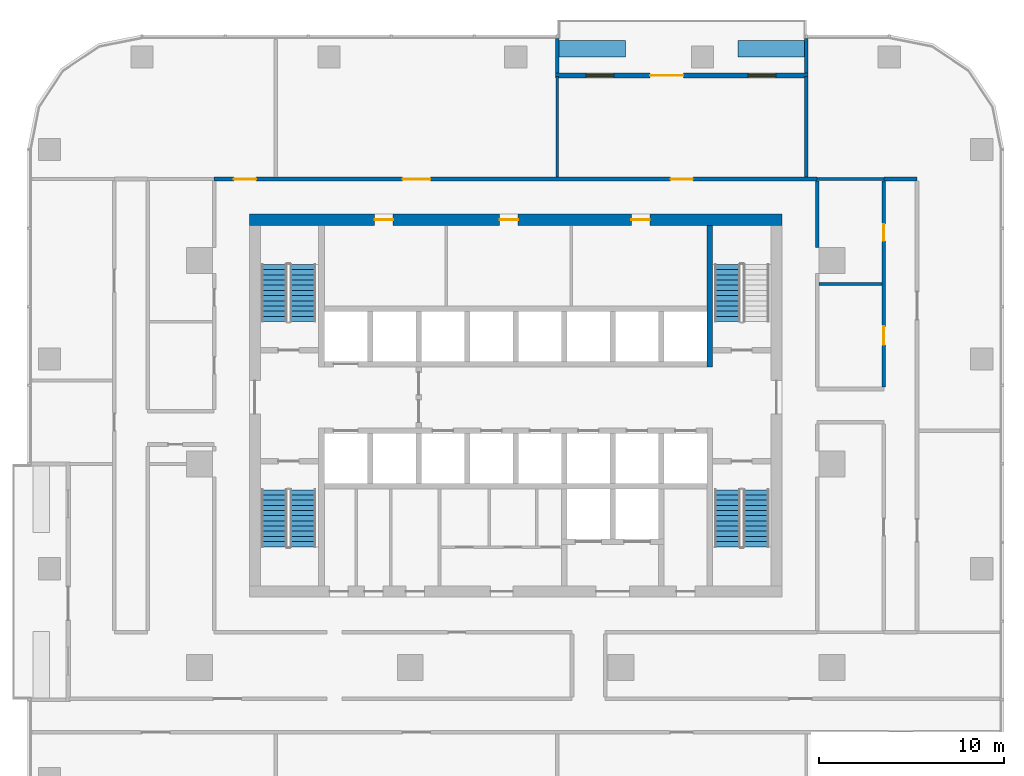
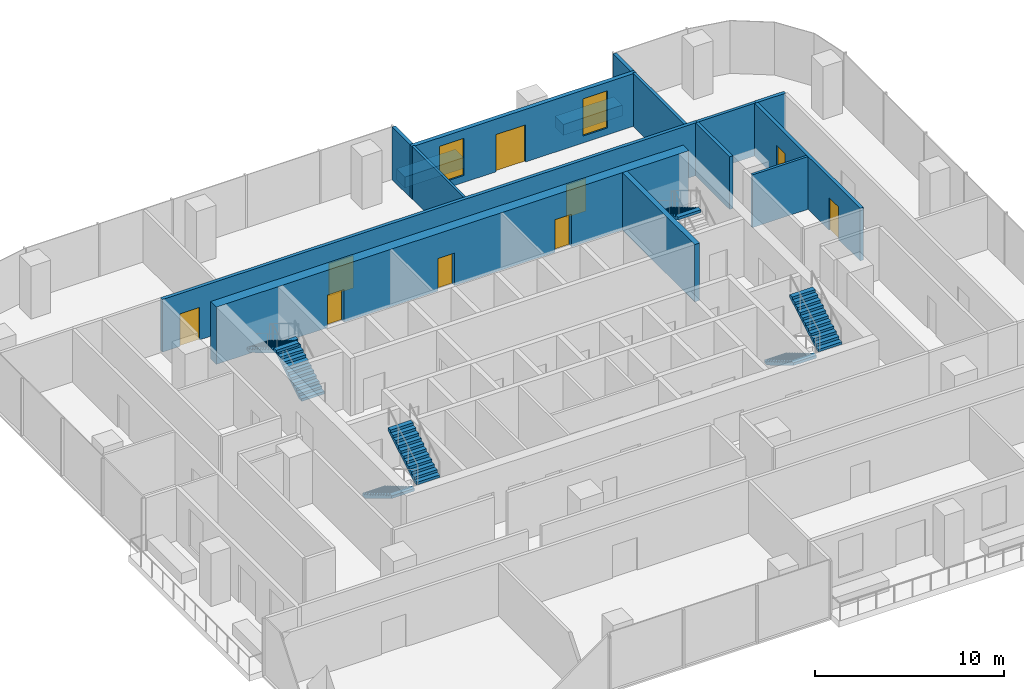
# One storey, part 10 of 14: 15 walls, 9 doors, 7 stair flights, 2 windows, 11 openings, 4 elements without a shape of their own.
"""IFC4 building model written with IfcOpenShell, lengths in metres."""

import ifcopenshell
import ifcopenshell.guid

model = None  # the IFC model being written
_history = None  # IfcOwnerHistory: only IFC2X3 demands one
_inside = {}  # id of a spatial element -> (the spatial element, [elements in it])
_under = {}  # id of a project, library or spatial element -> (it, [spatial elements below it])
_declared = {}  # id of a project -> (the project, [libraries it declares])
_typed = {}  # id of a type object -> (the type object, [elements of that type])
_made_of = {}  # id of a material, layer set ... -> (it, [elements and type objects made of it])


def new_model(schema):
    """Start an empty IFC model of exactly this schema.

    Asked for "IFC4X3", IfcOpenShell would pick the latest addendum, in which some entities
    have other attributes; the version numbers below select the first issue.
    IFC2X3 requires an IfcOwnerHistory on every rooted entity: one is made here for all.
    """
    global model, _history
    if schema == "IFC4X3":
        model = ifcopenshell.file(schema_version=(4, 3, 0, 0))
    else:
        model = ifcopenshell.file(schema=schema)
    _inside.clear()
    _under.clear()
    _declared.clear()
    _typed.clear()
    _made_of.clear()
    _history = None
    if model.schema == "IFC2X3":
        org = make("IfcOrganization", Name="unknown")
        user = make(
            "IfcPersonAndOrganization",
            ThePerson=make("IfcPerson", FamilyName="unknown"),
            TheOrganization=org,
        )
        app = make(
            "IfcApplication",
            ApplicationDeveloper=org,
            Version="unknown",
            ApplicationFullName="unknown",
            ApplicationIdentifier="unknown",
        )
        _history = make(
            "IfcOwnerHistory",
            OwningUser=user,
            OwningApplication=app,
            ChangeAction="ADDED",
            CreationDate=0,
        )
    return model


def make(cls, **values):
    """One entity of the class cls with the attributes given. An attribute that is None is left unset."""
    return model.create_entity(
        cls, **{name: value for name, value in values.items() if value is not None}
    )


def rooted(cls, **values):
    """An entity with a GlobalId (a new one), such as an element, a storey or a relation."""
    return make(cls, GlobalId=ifcopenshell.guid.new(), OwnerHistory=_history, **values)


def si_unit(unit_type, name, prefix=None):
    """IfcSIUnit, for example si_unit("LENGTHUNIT", "METRE", prefix="MILLI")."""
    return make("IfcSIUnit", UnitType=unit_type, Prefix=prefix, Name=name)


def assignment(units):
    """IfcUnitAssignment: the units of a project."""
    return None if units is None else make("IfcUnitAssignment", Units=units)


def point(xyz):
    """IfcCartesianPoint."""
    return None if xyz is None else make("IfcCartesianPoint", Coordinates=xyz)


def direction(xyz):
    """IfcDirection."""
    return None if xyz is None else make("IfcDirection", DirectionRatios=xyz)


def frame(location, z_axis=None, x_axis=None):
    """IfcAxis2Placement3D, a coordinate frame: its origin and axes. An axis left out is left unset."""
    return make(
        "IfcAxis2Placement3D",
        Location=point(location),
        Axis=direction(z_axis),
        RefDirection=direction(x_axis),
    )


def frame_2d(location, x_axis=None):
    """IfcAxis2Placement2D, a coordinate frame in the plane: its origin and x axis."""
    return make(
        "IfcAxis2Placement2D", Location=point(location), RefDirection=direction(x_axis)
    )


def origin():
    """The frame at (0, 0, 0) with its axes left unset."""
    return frame((0.0, 0.0, 0.0))


def place(relative_to, where):
    """IfcLocalPlacement: puts the frame where relative to a parent placement (None: the world)."""
    return make(
        "IfcLocalPlacement", PlacementRelTo=relative_to, RelativePlacement=where
    )


def context(
    kind, dimensions, precision=None, world=None, true_north=None, identifier=None
):
    """IfcGeometricRepresentationContext, for example the 3D "Model" context."""
    return make(
        "IfcGeometricRepresentationContext",
        ContextIdentifier=identifier,
        ContextType=kind,
        CoordinateSpaceDimension=dimensions,
        Precision=precision,
        WorldCoordinateSystem=world,
        TrueNorth=true_north,
    )


def subcontext(parent, identifier, kind, view, scale=None):
    """IfcGeometricRepresentationSubContext, for example "Body" below "Model"."""
    return make(
        "IfcGeometricRepresentationSubContext",
        ContextIdentifier=identifier,
        ContextType=kind,
        ParentContext=parent,
        TargetScale=scale,
        TargetView=view,
    )


def project(units=None, contexts=None):
    """IfcProject with its units and contexts."""
    return rooted(
        "IfcProject",
        Name="project",
        RepresentationContexts=contexts,
        UnitsInContext=assignment(units),
    )


def spatial(cls, under=None, at=None, **own):
    """A site, building, storey or space (cls), placed at a placement, below another one or the project."""
    s = rooted(cls, ObjectPlacement=at, **own)
    if under is not None:
        _under.setdefault(under.id(), (under, []))[1].append(s)
    return s


def polyline(points):
    """IfcPolyline through the points."""
    return make("IfcPolyline", Points=[point(p) for p in points])


def profile(cls, at=None, kind="AREA", **sizes):
    """A parametric profile (cls). Its sizes go by their IFC names, for example OverallWidth=200.0."""
    return make(cls, ProfileType=kind, Position=at, **sizes)


def rectangle(**sizes):
    """IfcRectangleProfileDef."""
    return profile("IfcRectangleProfileDef", **sizes)


def outline(outer, holes=None, kind="AREA"):
    """IfcArbitraryClosedProfileDef: a profile drawn as a closed curve; with holes, ...WithVoids."""
    if holes is None:
        return make("IfcArbitraryClosedProfileDef", ProfileType=kind, OuterCurve=outer)
    return make(
        "IfcArbitraryProfileDefWithVoids",
        ProfileType=kind,
        OuterCurve=outer,
        InnerCurves=holes,
    )


def extrude(swept, where, along, depth):
    """IfcExtrudedAreaSolid: the profile swept, set in the frame where, extruded along a direction by depth."""
    return make(
        "IfcExtrudedAreaSolid",
        SweptArea=swept,
        Position=where,
        ExtrudedDirection=direction(along),
        Depth=depth,
    )


def shape(context_of_items, identifier, shape_type, items):
    """IfcShapeRepresentation: the items that make up one representation, for example the "Body"."""
    return make(
        "IfcShapeRepresentation",
        ContextOfItems=context_of_items,
        RepresentationIdentifier=identifier,
        RepresentationType=shape_type,
        Items=items,
    )


def material(Name=None, Category=None):
    """IfcMaterial."""
    return make("IfcMaterial", Name=Name, Category=Category)


def layer(
    of_material, thickness, ventilated=None, Name=None, Category=None, Priority=None
):
    """IfcMaterialLayer: one layer of a wall or slab, of a material (None: an air gap)."""
    return make(
        "IfcMaterialLayer",
        Material=of_material,
        LayerThickness=thickness,
        IsVentilated=ventilated,
        Name=Name,
        Category=Category,
        Priority=Priority,
    )


def layer_set(layers, Name=None):
    """IfcMaterialLayerSet."""
    return make("IfcMaterialLayerSet", MaterialLayers=layers, LayerSetName=Name)


def made_of(thing, what):
    """Note that an element or type object is made of a material, layer set ...; save() writes the relation."""
    if what is not None:
        _made_of.setdefault(what.id(), (what, []))[1].append(thing)
    return thing


def type_object(cls, material=None, **own):
    """A type object (cls), such as IfcWallType, which elements share."""
    return made_of(rooted(cls, **own), material)


def element(
    cls,
    number,
    at=None,
    inside=None,
    cuts=None,
    type_object=None,
    material=None,
    context=None,
    identifier="Body",
    shape_type=None,
    held_by="IfcProductDefinitionShape",
    body=None,
    shapes=None,
    **own,
):
    """One element of the class cls, such as IfcWall. Its Tag is "e" and its number.

    at: its placement. inside: the storey or other place that contains it. cuts: it is an
    opening in that element (IfcRelVoidsElement). A single representation is given by context,
    identifier, shape_type and body (its items); several are given by shapes. held_by: the class
    of the entity that holds the representations. save() writes the other relations.
    """
    e = rooted(cls, Tag="e%d" % number, ObjectPlacement=at, **own)
    if body is not None:
        shapes = [shape(context, identifier, shape_type, body)]
    if shapes is not None:
        e.Representation = make(held_by, Representations=shapes)
    if inside is not None:
        _inside.setdefault(inside.id(), (inside, []))[1].append(e)
    if cuts is not None:
        rooted(
            "IfcRelVoidsElement", RelatingBuildingElement=cuts, RelatedOpeningElement=e
        )
    if type_object is not None:
        _typed.setdefault(type_object.id(), (type_object, []))[1].append(e)
    return made_of(e, material)


def fill(opening, filler):
    """IfcRelFillsElement: the door or window that sits in an opening."""
    return rooted(
        "IfcRelFillsElement",
        RelatingOpeningElement=opening,
        RelatedBuildingElement=filler,
    )


def aggregate(whole, parts):
    """IfcRelAggregates: a whole, such as a stair, and the parts it consists of."""
    return rooted("IfcRelAggregates", RelatingObject=whole, RelatedObjects=parts)


def save(model, path):
    """Write the relations noted so far, then the file.

    IfcRelAggregates (storeys below a building ...), IfcRelContainedInSpatialStructure (elements
    in a storey), IfcRelDefinesByType, IfcRelAssociatesMaterial and IfcRelDeclares: one each for
    every whole, place, type object, material and project.
    """
    for whole, parts in _under.values():
        aggregate(whole, parts)
    for where, things in _inside.values():
        rooted(
            "IfcRelContainedInSpatialStructure",
            RelatedElements=things,
            RelatingStructure=where,
        )
    for kind, things in _typed.values():
        rooted("IfcRelDefinesByType", RelatedObjects=things, RelatingType=kind)
    for what, things in _made_of.values():
        rooted("IfcRelAssociatesMaterial", RelatedObjects=things, RelatingMaterial=what)
    for by, libraries in _declared.values():
        rooted("IfcRelDeclares", RelatingContext=by, RelatedDefinitions=libraries)
    model.write(path)


model = new_model("IFC4")

# Units and contexts
model_context = context("Model", 3, precision=1e-05, world=origin(), true_north=direction((0.0, 1.0)))
body_context = subcontext(model_context, "Body", "Model", "MODEL_VIEW")
ifc_project = project(units=[si_unit("LENGTHUNIT", "METRE"), si_unit("AREAUNIT", "SQUARE_METRE"), si_unit("VOLUMEUNIT", "CUBIC_METRE"), si_unit("PLANEANGLEUNIT", "RADIAN"), si_unit("MASSUNIT", "GRAM", prefix="KILO")], contexts=[model_context])

# Site, building, storey
site_placement = place(None, origin())
site = spatial("IfcSite", under=ifc_project, at=site_placement, CompositionType="ELEMENT")
building_placement = place(site_placement, origin())
building = spatial("IfcBuilding", under=site, at=building_placement, Name="Mopane Tessera Tower", CompositionType="ELEMENT")
storey_placement = place(building_placement, frame((0.0, 0.0, 201.0)))
storey = spatial("IfcBuildingStorey", under=building, at=storey_placement, Name="L42", CompositionType="ELEMENT", Elevation=201.0)

# Wall, openings, doors
ifc_material_1 = material(Name="Concrete C70/85", Category="concrete")
ifc_layer_1 = layer(ifc_material_1, 0.60009765625)
ifc_layer_set_1 = layer_set([ifc_layer_1], Name="Concrete C70/85")
wall_type_1 = type_object("IfcWallType", Name="Core shear wall 600 mm", PredefinedType="SHEAR", material=ifc_layer_set_1)
wall_1_placement = place(storey_placement, frame((-14.39990234375, 13.199951171875, 0.0), z_axis=(0.0, 0.0, 1.0), x_axis=(1.0, 0.0, 0.0)))
wall_1 = element("IfcWall", 1, at=wall_1_placement, inside=storey, type_object=wall_type_1, Name="L42 Core wall north", PredefinedType="SHEAR", context=body_context, shape_type="SweptSolid", body=[
    extrude(rectangle(XDim=28.7998046875, YDim=0.60009765625, at=frame_2d((14.39990234375, 0.0))), origin(), (0.0, 0.0, 1.0), 3.699951171875),
])
opening_1_placement = place(wall_1_placement, frame((6.77490234375, 0.0, 0.0)))
opening_1 = element("IfcOpeningElement", 2, at=opening_1_placement, cuts=wall_1, Name="Opening RD1", PredefinedType="OPENING", context=body_context, shape_type="SweptSolid", body=[
    extrude(rectangle(XDim=1.0, YDim=2.10009765625, at=frame_2d((0.5, 1.050048828125))), frame((0.0, 0.31201171875, 0.0), z_axis=(0.0, -1.0, 0.0), x_axis=(1.0, 0.0, 0.0)), (0.0, 0.0, 1.0), 0.6240234375),
])
opening_2_placement = place(wall_1_placement, frame((13.52490234375, 0.0, 0.0)))
opening_2 = element("IfcOpeningElement", 3, at=opening_2_placement, cuts=wall_1, Name="Opening RD1", PredefinedType="OPENING", context=body_context, shape_type="SweptSolid", body=[
    extrude(rectangle(XDim=1.0, YDim=2.10009765625, at=frame_2d((0.5, 1.050048828125))), frame((0.0, 0.31201171875, 0.0), z_axis=(0.0, -1.0, 0.0), x_axis=(1.0, 0.0, 0.0)), (0.0, 0.0, 1.0), 0.6240234375),
])
opening_3_placement = place(wall_1_placement, frame((20.64990234375, 0.0, 0.0)))
opening_3 = element("IfcOpeningElement", 4, at=opening_3_placement, cuts=wall_1, Name="Opening RD1", PredefinedType="OPENING", context=body_context, shape_type="SweptSolid", body=[
    extrude(rectangle(XDim=1.0, YDim=2.10009765625, at=frame_2d((0.5, 1.050048828125))), frame((0.0, 0.31201171875, 0.0), z_axis=(0.0, -1.0, 0.0), x_axis=(1.0, 0.0, 0.0)), (0.0, 0.0, 1.0), 0.6240234375),
])
ifc_material_2 = material(Name="Timber door", Category="wood")
door_type_1 = type_object("IfcDoorType", Name="Core room door 1000 x 2100", OperationType="SINGLE_SWING_LEFT", PredefinedType="DOOR", material=ifc_material_2)
door_1_placement = place(opening_1_placement, origin())
door_1 = element("IfcDoor", 5, at=door_1_placement, inside=storey, type_object=door_type_1, Name="L42 Room door", OperationType="SINGLE_SWING_LEFT", OverallHeight=2.10009765625, OverallWidth=1.0, PredefinedType="DOOR", context=body_context, shape_type="SweptSolid", body=[
    extrude(rectangle(XDim=1.0, YDim=2.10009765625, at=frame_2d((0.5, 1.050048828125))), frame((0.0, 0.02490234375, 0.0), z_axis=(0.0, -1.0, 0.0), x_axis=(1.0, 0.0, 0.0)), (0.0, 0.0, 1.0), 0.050048828125),
])
fill(opening_1, door_1)
door_2_placement = place(opening_2_placement, origin())
door_2 = element("IfcDoor", 6, at=door_2_placement, inside=storey, type_object=door_type_1, Name="L42 Room door", OperationType="SINGLE_SWING_LEFT", OverallHeight=2.10009765625, OverallWidth=1.0, PredefinedType="DOOR", context=body_context, shape_type="SweptSolid", body=[
    extrude(rectangle(XDim=1.0, YDim=2.10009765625, at=frame_2d((0.5, 1.050048828125))), frame((0.0, 0.02490234375, 0.0), z_axis=(0.0, -1.0, 0.0), x_axis=(1.0, 0.0, 0.0)), (0.0, 0.0, 1.0), 0.050048828125),
])
fill(opening_2, door_2)
door_3_placement = place(opening_3_placement, origin())
door_3 = element("IfcDoor", 7, at=door_3_placement, inside=storey, type_object=door_type_1, Name="L42 Room door", OperationType="SINGLE_SWING_LEFT", OverallHeight=2.10009765625, OverallWidth=1.0, PredefinedType="DOOR", context=body_context, shape_type="SweptSolid", body=[
    extrude(rectangle(XDim=1.0, YDim=2.10009765625, at=frame_2d((0.5, 1.050048828125))), frame((0.0, 0.02490234375, 0.0), z_axis=(0.0, -1.0, 0.0), x_axis=(1.0, 0.0, 0.0)), (0.0, 0.0, 1.0), 0.050048828125),
])
fill(opening_3, door_3)

# Walls
ifc_material_3 = material(Name="Concrete C60/75", Category="concrete")
ifc_layer_2 = layer(ifc_material_3, 0.300048828125)
ifc_layer_set_2 = layer_set([ifc_layer_2], Name="Concrete C60/75")
wall_type_2 = type_object("IfcWallType", Name="Core spine wall 300 mm", PredefinedType="SHEAR", material=ifc_layer_set_2)
wall_2_placement = place(storey_placement, frame((10.5, 5.25, 0.0), z_axis=(0.0, 0.0, 1.0), x_axis=(0.0, 1.0, 0.0)))
element("IfcWall", 8, at=wall_2_placement, inside=storey, type_object=wall_type_2, Name="L42 Core spine wall", PredefinedType="SHEAR", context=body_context, shape_type="SweptSolid", body=[
    extrude(rectangle(XDim=7.64990234375, YDim=0.300048828125, at=frame_2d((3.824951171875, 0.0))), origin(), (0.0, 0.0, 1.0), 3.699951171875),
])
ifc_material_4 = material(Name="Gypsum board on staggered steel studs, double layer each face, acoustic mineral wool infill", Category="steel")
ifc_layer_3 = layer(ifc_material_4, 0.175048828125)
ifc_layer_set_3 = layer_set([ifc_layer_3], Name="Gypsum board on staggered steel studs, double layer each face, acoustic mineral wool infill")
wall_type_3 = type_object("IfcWallType", Name="Gypsum board acoustic partition 175, rated EI 60", PredefinedType="PARTITIONING", material=ifc_layer_set_3)
wall_3_placement = place(storey_placement, frame((16.300048828125, 15.39990234375, 0.0), z_axis=(0.0, 0.0, 1.0), x_axis=(1.0, 0.0, 0.0)))
element("IfcWall", 9, at=wall_3_placement, inside=storey, type_object=wall_type_3, Name="Partition L42:023", PredefinedType="PARTITIONING", context=body_context, shape_type="SweptSolid", body=[
    extrude(rectangle(XDim=3.599853515625, YDim=0.175048828125, at=frame_2d((1.7998046875, 0.0))), origin(), (0.0, 0.0, 1.0), 3.39990234375),
])
wall_4_placement = place(storey_placement, frame((15.7099609375, 15.5, 0.0), z_axis=(0.0, 0.0, 1.0), x_axis=(0.0, 1.0, 0.0)))
element("IfcWall", 10, at=wall_4_placement, inside=storey, type_object=wall_type_3, Name="Partition L42:041", PredefinedType="PARTITIONING", context=body_context, shape_type="SweptSolid", body=[
    extrude(rectangle(XDim=5.449951171875, YDim=0.175048828125, at=frame_2d((2.72509765625, 0.0))), origin(), (0.0, 0.0, 1.0), 3.39990234375),
])

# Wall, openings, doors
ifc_material_5 = material(Name="Gypsum board on steel studs, two layers each face, mineral wool infill", Category="steel")
ifc_layer_4 = layer(ifc_material_5, 0.199951171875)
ifc_layer_set_4 = layer_set([ifc_layer_4], Name="Gypsum board on steel studs, two layers each face, mineral wool infill")
wall_type_4 = type_object("IfcWallType", Name="Gypsum board corridor wall 200, rated EI 60", PredefinedType="PARTITIONING", material=ifc_layer_set_4)
wall_5_placement = place(storey_placement, frame((-16.300048828125, 15.39990234375, 0.0), z_axis=(0.0, 0.0, 1.0), x_axis=(1.0, 0.0, 0.0)))
wall_5 = element("IfcWall", 11, at=wall_5_placement, inside=storey, type_object=wall_type_4, Name="Partition L42:025", PredefinedType="PARTITIONING", context=body_context, shape_type="SweptSolid", body=[
    extrude(rectangle(XDim=32.60009765625, YDim=0.199951171875, at=frame_2d((16.300048828125, 0.0))), origin(), (0.0, 0.0, 1.0), 3.39990234375),
])
opening_4_placement = place(wall_5_placement, frame((10.18505859375, 0.0, 0.0)))
opening_4 = element("IfcOpeningElement", 12, at=opening_4_placement, cuts=wall_5, Name="Opening L42-13", PredefinedType="OPENING", context=body_context, shape_type="SweptSolid", body=[
    extrude(rectangle(XDim=1.5, YDim=2.10009765625, at=frame_2d((0.75, 1.050048828125))), frame((0.0, 0.112060546875, 0.0), z_axis=(0.0, -1.0, 0.0), x_axis=(1.0, 0.0, 0.0)), (0.0, 0.0, 1.0), 0.223876953125),
])
opening_5_placement = place(wall_5_placement, frame((1.0625, 0.0, 0.0)))
opening_5 = element("IfcOpeningElement", 13, at=opening_5_placement, cuts=wall_5, Name="Opening L42-15", PredefinedType="OPENING", context=body_context, shape_type="SweptSolid", body=[
    extrude(rectangle(XDim=1.199951171875, YDim=2.10009765625, at=frame_2d((0.60009765625, 1.050048828125))), frame((0.0, 0.112060546875, 0.0), z_axis=(0.0, -1.0, 0.0), x_axis=(1.0, 0.0, 0.0)), (0.0, 0.0, 1.0), 0.223876953125),
])
opening_6_placement = place(wall_5_placement, frame((24.677490234375, 0.0, 0.0)))
opening_6 = element("IfcOpeningElement", 14, at=opening_6_placement, cuts=wall_5, Name="Opening L42-20", PredefinedType="OPENING", context=body_context, shape_type="SweptSolid", body=[
    extrude(rectangle(XDim=1.199951171875, YDim=2.10009765625, at=frame_2d((0.60009765625, 1.050048828125))), frame((0.0, 0.112060546875, 0.0), z_axis=(0.0, -1.0, 0.0), x_axis=(1.0, 0.0, 0.0)), (0.0, 0.0, 1.0), 0.223876953125),
])
ifc_material_6 = material(Name="Timber veneered steel-framed fire door", Category="steel")
door_type_2 = type_object("IfcDoorType", Name="Fire door FD60 1200 x 2100", OperationType="SINGLE_SWING_LEFT", PredefinedType="DOOR", material=ifc_material_6)
door_4_placement = place(opening_5_placement, origin())
door_4 = element("IfcDoor", 15, at=door_4_placement, inside=storey, type_object=door_type_2, Name="Door L42-15", ObjectType="D15A", OperationType="SINGLE_SWING_RIGHT", OverallHeight=2.10009765625, OverallWidth=1.199951171875, PredefinedType="DOOR", context=body_context, shape_type="SweptSolid", body=[
    extrude(rectangle(XDim=1.199951171875, YDim=2.10009765625, at=frame_2d((0.60009765625, 1.050048828125))), frame((0.0, 0.02490234375, 0.0), z_axis=(0.0, -1.0, 0.0), x_axis=(1.0, 0.0, 0.0)), (0.0, 0.0, 1.0), 0.050048828125),
])
fill(opening_5, door_4)
door_5_placement = place(opening_6_placement, origin())
door_5 = element("IfcDoor", 16, at=door_5_placement, inside=storey, type_object=door_type_2, Name="Door L42-20", ObjectType="D15A", OperationType="SINGLE_SWING_LEFT", OverallHeight=2.10009765625, OverallWidth=1.199951171875, PredefinedType="DOOR", context=body_context, shape_type="SweptSolid", body=[
    extrude(rectangle(XDim=1.199951171875, YDim=2.10009765625, at=frame_2d((0.60009765625, 1.050048828125))), frame((0.0, 0.02490234375, 0.0), z_axis=(0.0, -1.0, 0.0), x_axis=(1.0, 0.0, 0.0)), (0.0, 0.0, 1.0), 0.050048828125),
])
fill(opening_6, door_5)
ifc_material_7 = material(Name="Timber veneered steel-framed fire door", Category="steel")
door_type_3 = type_object("IfcDoorType", Name="Fire door pair FD60 1500 x 2100", OperationType="DOUBLE_DOOR_SINGLE_SWING", PredefinedType="DOOR", material=ifc_material_7)
door_6_placement = place(opening_4_placement, origin())
door_6 = element("IfcDoor", 17, at=door_6_placement, inside=storey, type_object=door_type_3, Name="Door L42-13", ObjectType="D17A", OperationType="DOUBLE_DOOR_SINGLE_SWING", OverallHeight=2.10009765625, OverallWidth=1.5, PredefinedType="DOOR", context=body_context, shape_type="SweptSolid", body=[
    extrude(rectangle(XDim=1.5, YDim=2.10009765625, at=frame_2d((0.75, 1.050048828125))), frame((0.0, 0.02490234375, 0.0), z_axis=(0.0, -1.0, 0.0), x_axis=(1.0, 0.0, 0.0)), (0.0, 0.0, 1.0), 0.050048828125),
])
fill(opening_4, door_6)

# Walls
wall_6_placement = place(storey_placement, frame((19.89990234375, 15.39990234375, 0.0), z_axis=(0.0, 0.0, 1.0), x_axis=(1.0, 0.0, 0.0)))
element("IfcWall", 18, at=wall_6_placement, inside=storey, type_object=wall_type_4, Name="Partition L42:026", PredefinedType="PARTITIONING", context=body_context, shape_type="SweptSolid", body=[
    extrude(rectangle(XDim=1.800048828125, YDim=0.199951171875, at=frame_2d((0.89990234375, 0.0))), origin(), (0.0, 0.0, 1.0), 3.39990234375),
])
wall_7_placement = place(storey_placement, frame((16.300048828125, 11.699951171875, 0.0), z_axis=(0.0, 0.0, 1.0), x_axis=(0.0, 1.0, 0.0)))
element("IfcWall", 19, at=wall_7_placement, inside=storey, type_object=wall_type_4, Name="Partition L42:045", PredefinedType="PARTITIONING", context=body_context, shape_type="SweptSolid", body=[
    extrude(rectangle(XDim=3.60009765625, YDim=0.199951171875, at=frame_2d((1.800048828125, 0.0))), origin(), (0.0, 0.0, 1.0), 3.39990234375),
])

# Wall, openings, doors
wall_8_placement = place(storey_placement, frame((19.89990234375, 4.14990234375, 0.0), z_axis=(0.0, 0.0, 1.0), x_axis=(0.0, 1.0, 0.0)))
wall_8 = element("IfcWall", 20, at=wall_8_placement, inside=storey, type_object=wall_type_4, Name="Partition L42:047", PredefinedType="PARTITIONING", context=body_context, shape_type="SweptSolid", body=[
    extrude(rectangle(XDim=11.150146484375, YDim=0.199951171875, at=frame_2d((5.5751953125, 0.0))), origin(), (0.0, 0.0, 1.0), 3.39990234375),
])
opening_7_placement = place(wall_8_placement, frame((7.91259765625, 0.0, 0.0)))
opening_7 = element("IfcOpeningElement", 21, at=opening_7_placement, cuts=wall_8, Name="Opening L42-03", PredefinedType="OPENING", context=body_context, shape_type="SweptSolid", body=[
    extrude(rectangle(XDim=0.89990234375, YDim=2.10009765625, at=frame_2d((0.449951171875, 1.050048828125))), frame((0.0, 0.112060546875, 0.0), z_axis=(0.0, -1.0, 0.0), x_axis=(1.0, 0.0, 0.0)), (0.0, 0.0, 1.0), 0.223876953125),
])
opening_8_placement = place(wall_8_placement, frame((2.28759765625, 0.0, 0.0)))
opening_8 = element("IfcOpeningElement", 22, at=opening_8_placement, cuts=wall_8, Name="Opening L42-07", PredefinedType="OPENING", context=body_context, shape_type="SweptSolid", body=[
    extrude(rectangle(XDim=1.0, YDim=2.10009765625, at=frame_2d((0.5, 1.050048828125))), frame((0.0, 0.112060546875, 0.0), z_axis=(0.0, -1.0, 0.0), x_axis=(1.0, 0.0, 0.0)), (0.0, 0.0, 1.0), 0.223876953125),
])
ifc_material_8 = material(Name="Timber veneered steel-framed fire door", Category="steel")
door_type_4 = type_object("IfcDoorType", Name="Fire door FD60 1000 x 2100", OperationType="SINGLE_SWING_LEFT", PredefinedType="DOOR", material=ifc_material_8)
door_7_placement = place(opening_8_placement, origin())
door_7 = element("IfcDoor", 23, at=door_7_placement, inside=storey, type_object=door_type_4, Name="Door L42-07", ObjectType="D12A", OperationType="SINGLE_SWING_RIGHT", OverallHeight=2.10009765625, OverallWidth=1.0, PredefinedType="DOOR", context=body_context, shape_type="SweptSolid", body=[
    extrude(rectangle(XDim=1.0, YDim=2.10009765625, at=frame_2d((0.5, 1.050048828125))), frame((0.0, 0.02490234375, 0.0), z_axis=(0.0, -1.0, 0.0), x_axis=(1.0, 0.0, 0.0)), (0.0, 0.0, 1.0), 0.050048828125),
])
fill(opening_8, door_7)
ifc_material_9 = material(Name="Timber veneered steel-framed fire door", Category="steel")
door_type_5 = type_object("IfcDoorType", Name="Fire door FD60 900 x 2100", OperationType="SINGLE_SWING_LEFT", PredefinedType="DOOR", material=ifc_material_9)
door_8_placement = place(opening_7_placement, origin())
door_8 = element("IfcDoor", 24, at=door_8_placement, inside=storey, type_object=door_type_5, Name="Door L42-03", ObjectType="D10A", OperationType="SINGLE_SWING_RIGHT", OverallHeight=2.10009765625, OverallWidth=0.89990234375, PredefinedType="DOOR", context=body_context, shape_type="SweptSolid", body=[
    extrude(rectangle(XDim=0.89990234375, YDim=2.10009765625, at=frame_2d((0.449951171875, 1.050048828125))), frame((0.0, 0.02490234375, 0.0), z_axis=(0.0, -1.0, 0.0), x_axis=(1.0, 0.0, 0.0)), (0.0, 0.0, 1.0), 0.050048828125),
])
fill(opening_7, door_8)

# Walls
ifc_material_10 = material(Name="Gypsum board on steel studs, mineral wool infill", Category="steel")
ifc_layer_5 = layer(ifc_material_10, 0.14990234375)
ifc_layer_set_5 = layer_set([ifc_layer_5], Name="Gypsum board on steel studs, mineral wool infill")
wall_type_5 = type_object("IfcWallType", Name="Gypsum board partition 150, rated EI 60", PredefinedType="PARTITIONING", material=ifc_layer_set_5)
wall_9_placement = place(storey_placement, frame((16.39990234375, 9.72509765625, 0.0), z_axis=(0.0, 0.0, 1.0), x_axis=(1.0, 0.0, 0.0)))
element("IfcWall", 25, at=wall_9_placement, inside=storey, type_object=wall_type_5, Name="Partition L42:020", PredefinedType="PARTITIONING", context=body_context, shape_type="SweptSolid", body=[
    extrude(rectangle(XDim=3.400146484375, YDim=0.14990234375, at=frame_2d((1.7001953125, 0.0))), origin(), (0.0, 0.0, 1.0), 3.39990234375),
])
wall_10_placement = place(storey_placement, frame((2.2451171875, 15.5, 0.0), z_axis=(0.0, 0.0, 1.0), x_axis=(0.0, 1.0, 0.0)))
element("IfcWall", 26, at=wall_10_placement, inside=storey, type_object=wall_type_5, Name="Partition L42:036", PredefinedType="PARTITIONING", context=body_context, shape_type="SweptSolid", body=[
    extrude(rectangle(XDim=5.449951171875, YDim=0.14990234375, at=frame_2d((2.72509765625, 0.0))), origin(), (0.0, 0.0, 1.0), 3.39990234375),
])
ifc_material_11 = material(Name="Reinforced concrete C32/40 with waterproofing", Category="concrete")
ifc_layer_6 = layer(ifc_material_11, 0.89990234375)
ifc_layer_set_6 = layer_set([ifc_layer_6], Name="Reinforced concrete C32/40 with waterproofing")
wall_type_6 = type_object("IfcWallType", Name="Planter trough 3600 x 900", PredefinedType="STANDARD", material=ifc_layer_set_6)
for number, where, z_axis, x_axis, name in (
    (27, (15.611083984375, 22.449951171875, 0.0), (0.0, 0.0, 1.0), (-1.0, 0.0, 0.0), "e:nw:L42:N3:pl0"),
    (28, (5.9443359375, 22.449951171875, 0.0), (0.0, 0.0, 1.0), (-1.0, 0.0, 0.0), "e:nw:L42:N3:pl1"),
):
    element("IfcWall", number, at=place(storey_placement, frame(where, z_axis=z_axis, x_axis=x_axis)), inside=storey, type_object=wall_type_6, Name=name, PredefinedType="STANDARD", context=body_context, shape_type="SweptSolid", body=[
        extrude(rectangle(XDim=3.599853515625, YDim=0.89990234375, at=frame_2d((1.7998046875, 0.0))), origin(), (0.0, 0.0, 1.0), 0.699951171875),
    ])
ifc_material_12 = material(Name="Blockwork with glazed tile facing", Category="masonry")
ifc_layer_7 = layer(ifc_material_12, 0.199951171875)
ifc_layer_set_7 = layer_set([ifc_layer_7], Name="Blockwork with glazed tile facing")
wall_type_7 = type_object("IfcWallType", Name="Terrace cheek wall 200", PredefinedType="STANDARD", material=ifc_layer_set_7)
for number, where, z_axis, x_axis, name in (
    (29, (15.711181640625, 23.0, 0.0), (0.0, 0.0, 1.0), (0.0, -1.0, 0.0), "e:nw:L42:N3:cheeka"),
    (30, (2.244384765625, 23.0, 0.0), (0.0, 0.0, 1.0), (0.0, -1.0, 0.0), "e:nw:L42:N3:cheekb"),
):
    element("IfcWall", number, at=place(storey_placement, frame(where, z_axis=z_axis, x_axis=x_axis)), inside=storey, type_object=wall_type_7, Name=name, PredefinedType="STANDARD", context=body_context, shape_type="SweptSolid", body=[
        extrude(rectangle(XDim=1.875, YDim=0.199951171875, at=frame_2d((0.9375, 0.0))), origin(), (0.0, 0.0, 1.0), 3.39990234375),
    ])

# Wall, openings, windows, door
ifc_material_13 = material(Name="Blockwork with turquoise glazed tile facing", Category="masonry")
ifc_layer_8 = layer(ifc_material_13, 0.25)
ifc_layer_set_8 = layer_set([ifc_layer_8], Name="Blockwork with turquoise glazed tile facing")
wall_type_8 = type_object("IfcWallType", Name="Tile-clad external wall 250, turquoise", PredefinedType="STANDARD", material=ifc_layer_set_8)
wall_11_placement = place(storey_placement, frame((15.81103515625, 21.0, 0.0), z_axis=(0.0, 0.0, 1.0), x_axis=(-1.0, 0.0, 0.0)))
wall_11 = element("IfcWall", 31, at=wall_11_placement, inside=storey, type_object=wall_type_8, Name="e:nw:L42:N3:back", PredefinedType="STANDARD", context=body_context, shape_type="SweptSolid", body=[
    extrude(rectangle(XDim=13.66650390625, YDim=0.25, at=frame_2d((6.833251953125, 0.0))), origin(), (0.0, 0.0, 1.0), 3.39990234375),
])
opening_9_placement = place(wall_11_placement, frame((1.75, 0.0, 0.449951171875)))
opening_9 = element("IfcOpeningElement", 32, at=opening_9_placement, cuts=wall_11, Name="Opening NW423A", PredefinedType="OPENING", context=body_context, shape_type="SweptSolid", body=[
    extrude(rectangle(XDim=1.5, YDim=2.39990234375, at=frame_2d((0.75, 1.199951171875))), frame((0.0, 0.136962890625, 0.0), z_axis=(0.0, -1.0, 0.0), x_axis=(1.0, 0.0, 0.0)), (0.0, 0.0, 1.0), 0.27392578125),
])
opening_10_placement = place(wall_11_placement, frame((6.75, 0.0, 0.0)))
opening_10 = element("IfcOpeningElement", 33, at=opening_10_placement, cuts=wall_11, Name="Opening ND423", PredefinedType="OPENING", context=body_context, shape_type="SweptSolid", body=[
    extrude(rectangle(XDim=1.800048828125, YDim=2.39990234375, at=frame_2d((0.89990234375, 1.199951171875))), frame((0.0, 0.136962890625, 0.0), z_axis=(0.0, -1.0, 0.0), x_axis=(1.0, 0.0, 0.0)), (0.0, 0.0, 1.0), 0.27392578125),
])
opening_11_placement = place(wall_11_placement, frame((10.5, 0.0, 0.449951171875)))
opening_11 = element("IfcOpeningElement", 34, at=opening_11_placement, cuts=wall_11, Name="Opening NW423B", PredefinedType="OPENING", context=body_context, shape_type="SweptSolid", body=[
    extrude(rectangle(XDim=1.5, YDim=2.39990234375, at=frame_2d((0.75, 1.199951171875))), frame((0.0, 0.136962890625, 0.0), z_axis=(0.0, -1.0, 0.0), x_axis=(1.0, 0.0, 0.0)), (0.0, 0.0, 1.0), 0.27392578125),
])
ifc_material_14 = material(Name="Clear laminated glass", Category="glass")
window_type = type_object("IfcWindowType", Name="Fixed window 1500 x 2400", PartitioningType="SINGLE_PANEL", PredefinedType="WINDOW", material=ifc_material_14)
window_1_placement = place(opening_9_placement, origin())
window_1 = element("IfcWindow", 35, at=window_1_placement, inside=storey, type_object=window_type, Name="e:nw:L42:N3:win0", OverallHeight=2.39990234375, OverallWidth=1.5, PartitioningType="SINGLE_PANEL", PredefinedType="WINDOW", context=body_context, shape_type="SweptSolid", body=[
    extrude(rectangle(XDim=1.5, YDim=2.39990234375, at=frame_2d((0.75, 1.199951171875))), frame((0.0, 0.030029296875, 0.0), z_axis=(0.0, -1.0, 0.0), x_axis=(1.0, 0.0, 0.0)), (0.0, 0.0, 1.0), 0.06005859375),
])
fill(opening_9, window_1)
window_2_placement = place(opening_11_placement, origin())
window_2 = element("IfcWindow", 36, at=window_2_placement, inside=storey, type_object=window_type, Name="e:nw:L42:N3:win2", OverallHeight=2.39990234375, OverallWidth=1.5, PartitioningType="SINGLE_PANEL", PredefinedType="WINDOW", context=body_context, shape_type="SweptSolid", body=[
    extrude(rectangle(XDim=1.5, YDim=2.39990234375, at=frame_2d((0.75, 1.199951171875))), frame((0.0, 0.030029296875, 0.0), z_axis=(0.0, -1.0, 0.0), x_axis=(1.0, 0.0, 0.0)), (0.0, 0.0, 1.0), 0.06005859375),
])
fill(opening_11, window_2)
ifc_material_15 = material(Name="Aluminium and clear glass", Category="aluminium")
door_type_6 = type_object("IfcDoorType", Name="Terrace double door 1800 x 2400", OperationType="DOUBLE_DOOR_SINGLE_SWING", PredefinedType="DOOR", material=ifc_material_15)
door_9_placement = place(opening_10_placement, origin())
door_9 = element("IfcDoor", 37, at=door_9_placement, inside=storey, type_object=door_type_6, Name="e:nw:L42:N3:door", ObjectType="D1", OperationType="DOUBLE_DOOR_SINGLE_SWING", OverallHeight=2.39990234375, OverallWidth=1.800048828125, PredefinedType="DOOR", context=body_context, shape_type="SweptSolid", body=[
    extrude(rectangle(XDim=1.800048828125, YDim=2.39990234375, at=frame_2d((0.89990234375, 1.199951171875))), frame((0.0, 0.02490234375, 0.0), z_axis=(0.0, -1.0, 0.0), x_axis=(1.0, 0.0, 0.0)), (0.0, 0.0, 1.0), 0.050048828125),
])
fill(opening_10, door_9)

# Stair, stair flights
ifc_material_16 = material(Name="Concrete C50/60", Category="concrete")
stair_type = type_object("IfcStairType", Name="Escape stair 1400 mm, riser 167 mm", PredefinedType="HALF_TURN_STAIR", material=ifc_material_16)
stair_1_placement = place(storey_placement, origin())
stair_1 = element("IfcStair", 38, at=stair_1_placement, inside=storey, type_object=stair_type, Name="L42 Escape stair south-west", PredefinedType="HALF_TURN_STAIR")
ifc_material_17 = material(Name="Concrete C50/60", Category="concrete")
stair_flight_type = type_object("IfcStairFlightType", Name="Escape stair flight 1400 mm", PredefinedType="STRAIGHT", material=ifc_material_17)
stair_flight_1_placement = place(storey_placement, frame((-13.050048828125, -1.39990234375, 0.0), z_axis=(0.0, 0.0, 1.0), x_axis=(0.0, -1.0, 0.0)))
stair_flight_1 = element("IfcStairFlight", 39, at=stair_flight_1_placement, type_object=stair_flight_type, Name="ST1 flight 1", NumberOfRisers=12, NumberOfTreads=11, PredefinedType="STRAIGHT", RiserHeight=0.166666667, TreadLength=0.28, context=body_context, shape_type="SweptSolid", body=[
    extrude(outline(polyline([(0.0, 0.0), (0.0, 0.166748046875), (0.280029296875, 0.166748046875), (0.280029296875, 0.333251953125), (0.56005859375, 0.333251953125), (0.56005859375, 0.5), (0.840087890625, 0.5), (0.840087890625, 0.666748046875), (1.1201171875, 0.666748046875), (1.1201171875, 0.833251953125), (1.39990234375, 0.833251953125), (1.39990234375, 1.0), (1.679931640625, 1.0), (1.679931640625, 1.166748046875), (1.9599609375, 1.166748046875), (1.9599609375, 1.333251953125), (2.239990234375, 1.333251953125), (2.239990234375, 1.5), (2.52001953125, 1.5), (2.52001953125, 1.666748046875), (2.800048828125, 1.666748046875), (2.800048828125, 1.833251953125), (3.080078125, 1.833251953125), (3.080078125, 2.0), (3.080078125, 1.658935546875), (0.29296875, 0.0), (0.0, 0.0)])), frame((0.0, 0.699951171875, 0.0), z_axis=(0.0, -1.0, 0.0), x_axis=(1.0, 0.0, 0.0)), (0.0, 0.0, 1.0), 1.39990234375),
])
stair_flight_2_placement = place(storey_placement, frame((-11.5, -4.47998046875, 2.0), z_axis=(0.0, 0.0, 1.0), x_axis=(0.0, 1.0, 0.0)))
stair_flight_2 = element("IfcStairFlight", 40, at=stair_flight_2_placement, type_object=stair_flight_type, Name="ST1 flight 2", NumberOfRisers=12, NumberOfTreads=11, PredefinedType="STRAIGHT", RiserHeight=0.166666667, TreadLength=0.28, context=body_context, shape_type="SweptSolid", body=[
    extrude(outline(polyline([(0.0, 0.0), (0.0, 0.166748046875), (0.280029296875, 0.166748046875), (0.280029296875, 0.333251953125), (0.56005859375, 0.333251953125), (0.56005859375, 0.5), (0.840087890625, 0.5), (0.840087890625, 0.666748046875), (1.1201171875, 0.666748046875), (1.1201171875, 0.833251953125), (1.39990234375, 0.833251953125), (1.39990234375, 1.0), (1.679931640625, 1.0), (1.679931640625, 1.166748046875), (1.9599609375, 1.166748046875), (1.9599609375, 1.333251953125), (2.239990234375, 1.333251953125), (2.239990234375, 1.5), (2.52001953125, 1.5), (2.52001953125, 1.666748046875), (2.800048828125, 1.666748046875), (2.800048828125, 1.833251953125), (3.080078125, 1.833251953125), (3.080078125, 2.0), (3.080078125, 1.658935546875), (0.29296875, 0.0), (0.0, 0.0)])), frame((0.0, 0.699951171875, 0.0), z_axis=(0.0, -1.0, 0.0), x_axis=(1.0, 0.0, 0.0)), (0.0, 0.0, 1.0), 1.39990234375),
])
aggregate(stair_1, [stair_flight_1, stair_flight_2])

stair_2_placement = place(storey_placement, origin())
stair_2 = element("IfcStair", 41, at=stair_2_placement, inside=storey, type_object=stair_type, Name="L42 Escape stair north-west", PredefinedType="HALF_TURN_STAIR")
stair_flight_3_placement = place(storey_placement, frame((-11.5, 7.699951171875, 0.0), z_axis=(0.0, 0.0, 1.0), x_axis=(0.0, 1.0, 0.0)))
stair_flight_3 = element("IfcStairFlight", 42, at=stair_flight_3_placement, type_object=stair_flight_type, Name="ST2 flight 1", NumberOfRisers=12, NumberOfTreads=11, PredefinedType="STRAIGHT", RiserHeight=0.166666667, TreadLength=0.28, context=body_context, shape_type="SweptSolid", body=[
    extrude(outline(polyline([(0.0, 0.0), (0.0, 0.166748046875), (0.280029296875, 0.166748046875), (0.280029296875, 0.333251953125), (0.56005859375, 0.333251953125), (0.56005859375, 0.5), (0.840087890625, 0.5), (0.840087890625, 0.666748046875), (1.1201171875, 0.666748046875), (1.1201171875, 0.833251953125), (1.39990234375, 0.833251953125), (1.39990234375, 1.0), (1.679931640625, 1.0), (1.679931640625, 1.166748046875), (1.9599609375, 1.166748046875), (1.9599609375, 1.333251953125), (2.239990234375, 1.333251953125), (2.239990234375, 1.5), (2.52001953125, 1.5), (2.52001953125, 1.666748046875), (2.800048828125, 1.666748046875), (2.800048828125, 1.833251953125), (3.080078125, 1.833251953125), (3.080078125, 2.0), (3.080078125, 1.658935546875), (0.29296875, 0.0), (0.0, 0.0)])), frame((0.0, 0.699951171875, 0.0), z_axis=(0.0, -1.0, 0.0), x_axis=(1.0, 0.0, 0.0)), (0.0, 0.0, 1.0), 1.39990234375),
])
stair_flight_4_placement = place(storey_placement, frame((-13.050048828125, 10.780029296875, 2.0), z_axis=(0.0, 0.0, 1.0), x_axis=(0.0, -1.0, 0.0)))
stair_flight_4 = element("IfcStairFlight", 43, at=stair_flight_4_placement, type_object=stair_flight_type, Name="ST2 flight 2", NumberOfRisers=12, NumberOfTreads=11, PredefinedType="STRAIGHT", RiserHeight=0.166666667, TreadLength=0.28, context=body_context, shape_type="SweptSolid", body=[
    extrude(outline(polyline([(0.0, 0.0), (0.0, 0.166748046875), (0.280029296875, 0.166748046875), (0.280029296875, 0.333251953125), (0.56005859375, 0.333251953125), (0.56005859375, 0.5), (0.840087890625, 0.5), (0.840087890625, 0.666748046875), (1.1201171875, 0.666748046875), (1.1201171875, 0.833251953125), (1.39990234375, 0.833251953125), (1.39990234375, 1.0), (1.679931640625, 1.0), (1.679931640625, 1.166748046875), (1.9599609375, 1.166748046875), (1.9599609375, 1.333251953125), (2.239990234375, 1.333251953125), (2.239990234375, 1.5), (2.52001953125, 1.5), (2.52001953125, 1.666748046875), (2.800048828125, 1.666748046875), (2.800048828125, 1.833251953125), (3.080078125, 1.833251953125), (3.080078125, 2.0), (3.080078125, 1.658935546875), (0.29296875, 0.0), (0.0, 0.0)])), frame((0.0, 0.699951171875, 0.0), z_axis=(0.0, -1.0, 0.0), x_axis=(1.0, 0.0, 0.0)), (0.0, 0.0, 1.0), 1.39990234375),
])
aggregate(stair_2, [stair_flight_3, stair_flight_4])

stair_3_placement = place(storey_placement, origin())
stair_3 = element("IfcStair", 44, at=stair_3_placement, inside=storey, type_object=stair_type, Name="L42 Escape stair south-east", PredefinedType="HALF_TURN_STAIR")
stair_flight_5_placement = place(storey_placement, frame((11.449951171875, -1.39990234375, 0.0), z_axis=(0.0, 0.0, 1.0), x_axis=(0.0, -1.0, 0.0)))
stair_flight_5 = element("IfcStairFlight", 45, at=stair_flight_5_placement, type_object=stair_flight_type, Name="ST3 flight 1", NumberOfRisers=12, NumberOfTreads=11, PredefinedType="STRAIGHT", RiserHeight=0.166666667, TreadLength=0.28, context=body_context, shape_type="SweptSolid", body=[
    extrude(outline(polyline([(0.0, 0.0), (0.0, 0.166748046875), (0.280029296875, 0.166748046875), (0.280029296875, 0.333251953125), (0.56005859375, 0.333251953125), (0.56005859375, 0.5), (0.840087890625, 0.5), (0.840087890625, 0.666748046875), (1.1201171875, 0.666748046875), (1.1201171875, 0.833251953125), (1.39990234375, 0.833251953125), (1.39990234375, 1.0), (1.679931640625, 1.0), (1.679931640625, 1.166748046875), (1.9599609375, 1.166748046875), (1.9599609375, 1.333251953125), (2.239990234375, 1.333251953125), (2.239990234375, 1.5), (2.52001953125, 1.5), (2.52001953125, 1.666748046875), (2.800048828125, 1.666748046875), (2.800048828125, 1.833251953125), (3.080078125, 1.833251953125), (3.080078125, 2.0), (3.080078125, 1.658935546875), (0.29296875, 0.0), (0.0, 0.0)])), frame((0.0, 0.699951171875, 0.0), z_axis=(0.0, -1.0, 0.0), x_axis=(1.0, 0.0, 0.0)), (0.0, 0.0, 1.0), 1.39990234375),
])
stair_flight_6_placement = place(storey_placement, frame((13.0, -4.47998046875, 2.0), z_axis=(0.0, 0.0, 1.0), x_axis=(0.0, 1.0, 0.0)))
stair_flight_6 = element("IfcStairFlight", 46, at=stair_flight_6_placement, type_object=stair_flight_type, Name="ST3 flight 2", NumberOfRisers=12, NumberOfTreads=11, PredefinedType="STRAIGHT", RiserHeight=0.166666667, TreadLength=0.28, context=body_context, shape_type="SweptSolid", body=[
    extrude(outline(polyline([(0.0, 0.0), (0.0, 0.166748046875), (0.280029296875, 0.166748046875), (0.280029296875, 0.333251953125), (0.56005859375, 0.333251953125), (0.56005859375, 0.5), (0.840087890625, 0.5), (0.840087890625, 0.666748046875), (1.1201171875, 0.666748046875), (1.1201171875, 0.833251953125), (1.39990234375, 0.833251953125), (1.39990234375, 1.0), (1.679931640625, 1.0), (1.679931640625, 1.166748046875), (1.9599609375, 1.166748046875), (1.9599609375, 1.333251953125), (2.239990234375, 1.333251953125), (2.239990234375, 1.5), (2.52001953125, 1.5), (2.52001953125, 1.666748046875), (2.800048828125, 1.666748046875), (2.800048828125, 1.833251953125), (3.080078125, 1.833251953125), (3.080078125, 2.0), (3.080078125, 1.658935546875), (0.29296875, 0.0), (0.0, 0.0)])), frame((0.0, 0.699951171875, 0.0), z_axis=(0.0, -1.0, 0.0), x_axis=(1.0, 0.0, 0.0)), (0.0, 0.0, 1.0), 1.39990234375),
])
aggregate(stair_3, [stair_flight_5, stair_flight_6])

# Stair, stair flight
stair_4_placement = place(storey_placement, origin())
stair_4 = element("IfcStair", 47, at=stair_4_placement, inside=storey, type_object=stair_type, Name="L42 Escape stair north-east", PredefinedType="HALF_TURN_STAIR")
stair_flight_7_placement = place(storey_placement, frame((11.449951171875, 10.780029296875, 2.0), z_axis=(0.0, 0.0, 1.0), x_axis=(0.0, -1.0, 0.0)))
stair_flight_7 = element("IfcStairFlight", 48, at=stair_flight_7_placement, type_object=stair_flight_type, Name="ST4 flight 2", NumberOfRisers=12, NumberOfTreads=11, PredefinedType="STRAIGHT", RiserHeight=0.166666667, TreadLength=0.28, context=body_context, shape_type="SweptSolid", body=[
    extrude(outline(polyline([(0.0, 0.0), (0.0, 0.166748046875), (0.280029296875, 0.166748046875), (0.280029296875, 0.333251953125), (0.56005859375, 0.333251953125), (0.56005859375, 0.5), (0.840087890625, 0.5), (0.840087890625, 0.666748046875), (1.1201171875, 0.666748046875), (1.1201171875, 0.833251953125), (1.39990234375, 0.833251953125), (1.39990234375, 1.0), (1.679931640625, 1.0), (1.679931640625, 1.166748046875), (1.9599609375, 1.166748046875), (1.9599609375, 1.333251953125), (2.239990234375, 1.333251953125), (2.239990234375, 1.5), (2.52001953125, 1.5), (2.52001953125, 1.666748046875), (2.800048828125, 1.666748046875), (2.800048828125, 1.833251953125), (3.080078125, 1.833251953125), (3.080078125, 2.0), (3.080078125, 1.658935546875), (0.29296875, 0.0), (0.0, 0.0)])), frame((0.0, 0.699951171875, 0.0), z_axis=(0.0, -1.0, 0.0), x_axis=(1.0, 0.0, 0.0)), (0.0, 0.0, 1.0), 1.39990234375),
])
aggregate(stair_4, [stair_flight_7])

save(model, "model.ifc")
